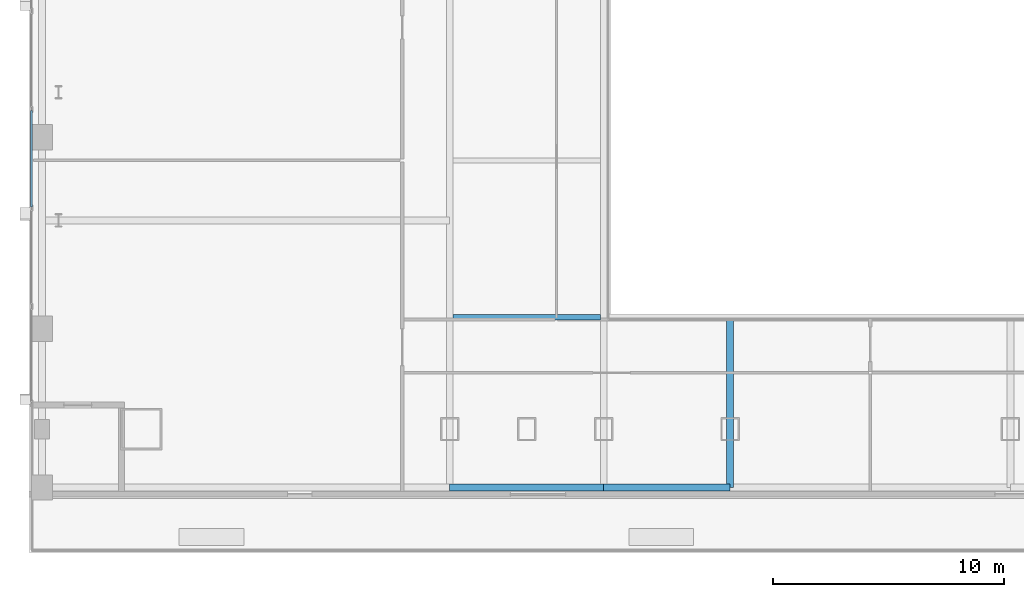
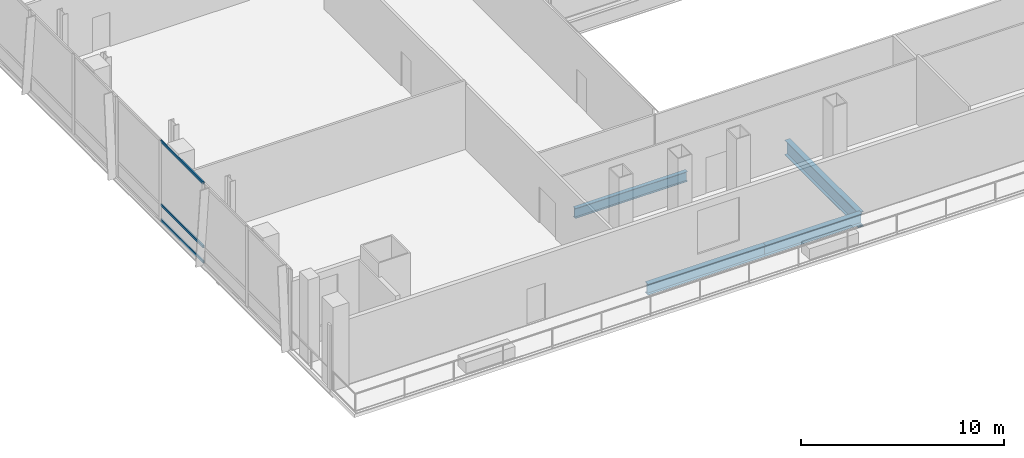
# One storey, part 7 of 26: 4 beams, 3 members, 1 element without a shape of its own.
"""IFC4 building model written with IfcOpenShell, lengths in metres."""

from ifc_helpers import new_model, si_unit, direction, frame, origin, origin_2d, place, context, subcontext, project, spatial, hollow_rectangle, i_section, extrude, material, material_profile, profile_set, type_object, element, aggregate, save


model = new_model("IFC4")

# Units and contexts
model_context = context("Model", 3, precision=1e-05, world=origin(), true_north=direction((0.0, 1.0)))
body_context = subcontext(model_context, "Body", "Model", "MODEL_VIEW")
ifc_project = project(units=[si_unit("LENGTHUNIT", "METRE"), si_unit("AREAUNIT", "SQUARE_METRE"), si_unit("VOLUMEUNIT", "CUBIC_METRE"), si_unit("PLANEANGLEUNIT", "RADIAN"), si_unit("MASSUNIT", "GRAM", prefix="KILO")], contexts=[model_context])

# Site, building, storey
site_placement = place(None, origin())
site = spatial("IfcSite", under=ifc_project, at=site_placement, CompositionType="ELEMENT")
building_placement = place(site_placement, origin())
building = spatial("IfcBuilding", under=site, at=building_placement, Name="Khoronbel Lancet Exchange", CompositionType="ELEMENT")
storey_placement = place(building_placement, frame((0.0, 0.0, 5.39990234375)))
storey = spatial("IfcBuildingStorey", under=building, at=storey_placement, Name="L01", CompositionType="ELEMENT", Elevation=5.39990234375)

# Beams
ifc_material_1 = material(Name="Steel S355", Category="steel")
ifc_material_profile_1 = material_profile(ifc_material_1, i_section(OverallWidth=0.300048828125, OverallDepth=0.89990234375, WebThickness=0.0185546875, FlangeThickness=0.034912109375, at=origin_2d()), Name="HEB 900")
ifc_profile_set_1 = profile_set([ifc_material_profile_1], Name="Steel S355")
beam_type_1 = type_object("IfcBeamType", Name="BM-BG1", PredefinedType="BEAM", material=ifc_profile_set_1)
beam_1_placement = place(storey_placement, frame((30.375, 7.6201171875, -0.64990234375), z_axis=(0.0, 1.0, 0.0), x_axis=(-1.0, 0.0, 0.0)))
element("IfcBeam", 1, at=beam_1_placement, inside=storey, type_object=beam_type_1, Name="Level L01 south gallery & terrace cantilever girder GS3", PredefinedType="BEAM", context=body_context, shape_type="SweptSolid", body=[
    extrude(i_section(OverallWidth=0.300048828125, OverallDepth=0.89990234375, WebThickness=0.0185546875, FlangeThickness=0.034912109375, at=origin_2d()), origin(), (0.0, 0.0, 1.0), 7.22998046875),
])
ifc_material_profile_2 = material_profile(ifc_material_1, i_section(OverallWidth=0.219970703125, OverallDepth=0.60009765625, WebThickness=0.011962890625, FlangeThickness=0.01904296875, at=origin_2d()), Name="IPE 600")
ifc_profile_set_2 = profile_set([ifc_material_profile_2], Name="Steel S355")
beam_type_2 = type_object("IfcBeamType", Name="BM-BJ1", PredefinedType="JOIST", material=ifc_profile_set_2)
beam_2_placement = place(storey_placement, frame((18.375, 15.0, -0.5), z_axis=(1.0, 0.0, 0.0), x_axis=(0.0, 1.0, 0.0)))
element("IfcBeam", 2, at=beam_2_placement, inside=storey, type_object=beam_type_2, Name="Level L01 secondary composite joist J01", PredefinedType="JOIST", context=body_context, shape_type="SweptSolid", body=[
    extrude(i_section(OverallWidth=0.219970703125, OverallDepth=0.60009765625, WebThickness=0.011962890625, FlangeThickness=0.01904296875, at=origin_2d()), origin(), (0.0, 0.0, 1.0), 6.375),
])
ifc_material_profile_3 = material_profile(ifc_material_1, i_section(OverallWidth=0.300048828125, OverallDepth=0.64990234375, WebThickness=0.01611328125, FlangeThickness=0.031005859375, at=origin_2d()), Name="HEB 650")
ifc_profile_set_3 = profile_set([ifc_material_profile_3], Name="Steel S355")
beam_type_3 = type_object("IfcBeamType", Name="BM-BSP1", PredefinedType="SPANDREL", material=ifc_profile_set_3)
beam_3_placement = place(storey_placement, frame((18.22509765625, 7.6201171875, -0.52490234375), z_axis=(1.0, 0.0, 0.0), x_axis=(0.0, 1.0, 0.0)))
element("IfcBeam", 3, at=beam_3_placement, inside=storey, type_object=beam_type_3, Name="Level L01 perimeter spandrel beam SP02", PredefinedType="SPANDREL", context=body_context, shape_type="SweptSolid", body=[
    extrude(i_section(OverallWidth=0.300048828125, OverallDepth=0.64990234375, WebThickness=0.01611328125, FlangeThickness=0.031005859375, at=origin_2d()), origin(), (0.0, 0.0, 1.0), 6.6748046875),
])
beam_4_placement = place(storey_placement, frame((24.89990234375, 7.6201171875, -0.52490234375), z_axis=(1.0, 0.0, 0.0), x_axis=(0.0, 1.0, 0.0)))
element("IfcBeam", 4, at=beam_4_placement, inside=storey, type_object=beam_type_3, Name="Level L01 perimeter spandrel beam SP03", PredefinedType="SPANDREL", context=body_context, shape_type="SweptSolid", body=[
    extrude(i_section(OverallWidth=0.300048828125, OverallDepth=0.64990234375, WebThickness=0.01611328125, FlangeThickness=0.031005859375, at=origin_2d()), origin(), (0.0, 0.0, 1.0), 5.47509765625),
])

# Curtain wall, members
ifc_material_2 = material(Name="Low-E Solar Control Insulating Glass", Category="glass")
curtain_wall_type = type_object("IfcCurtainWallType", Name="CW-5", PredefinedType="NOTDEFINED", material=ifc_material_2)
curtain_wall_placement = place(storey_placement, origin())
curtain_wall = element("IfcCurtainWall", 5, at=curtain_wall_placement, inside=storey, type_object=curtain_wall_type, Name="Unitised curtain wall CW-L01-WEST", PredefinedType="NOTDEFINED")
ifc_material_3 = material(Name="Bronze-Anodised Aluminium 6063-T6", Category="aluminium")
ifc_material_profile_4 = material_profile(ifc_material_3, hollow_rectangle(XDim=0.074951171875, YDim=0.14990234375, WallThickness=0.00439453125, at=origin_2d()), Name="ALU TRANSOM 75x150")
ifc_profile_set_4 = profile_set([ifc_material_profile_4], Name="Bronze-Anodised Aluminium 6063-T6")
member_type = type_object("IfcMemberType", Name="MEM-CWT2", PredefinedType="USERDEFINED", material=ifc_profile_set_4)
member_1_placement = place(storey_placement, frame((0.10009765625, 23.95751953125, 0.03759765625), z_axis=(0.0, -1.0, 0.0), x_axis=(1.0, 0.0, 0.0)))
member_1 = element("IfcMember", 6, at=member_1_placement, type_object=member_type, Name="CW5 transom 7.1", ObjectType="TRANSOM", PredefinedType="USERDEFINED", context=body_context, shape_type="SweptSolid", body=[
    extrude(hollow_rectangle(XDim=0.074951171875, YDim=0.14990234375, WallThickness=0.00439453125, at=origin_2d()), origin(), (0.0, 0.0, 1.0), 4.181640625),
])
member_2_placement = place(storey_placement, frame((0.10009765625, 23.95751953125, 0.9501953125), z_axis=(0.0, -1.0, 0.0), x_axis=(1.0, 0.0, 0.0)))
member_2 = element("IfcMember", 7, at=member_2_placement, type_object=member_type, Name="CW5 transom 7.2", ObjectType="TRANSOM", PredefinedType="USERDEFINED", context=body_context, shape_type="SweptSolid", body=[
    extrude(hollow_rectangle(XDim=0.074951171875, YDim=0.14990234375, WallThickness=0.00439453125, at=origin_2d()), origin(), (0.0, 0.0, 1.0), 4.181640625),
])
member_3_placement = place(storey_placement, frame((0.10009765625, 23.95751953125, 4.7626953125), z_axis=(0.0, -1.0, 0.0), x_axis=(1.0, 0.0, 0.0)))
member_3 = element("IfcMember", 8, at=member_3_placement, type_object=member_type, Name="CW5 transom 7.3", ObjectType="TRANSOM", PredefinedType="USERDEFINED", context=body_context, shape_type="SweptSolid", body=[
    extrude(hollow_rectangle(XDim=0.074951171875, YDim=0.14990234375, WallThickness=0.00439453125, at=origin_2d()), origin(), (0.0, 0.0, 1.0), 4.181640625),
])
aggregate(curtain_wall, [member_1, member_2, member_3])

save(model, "model.ifc")
